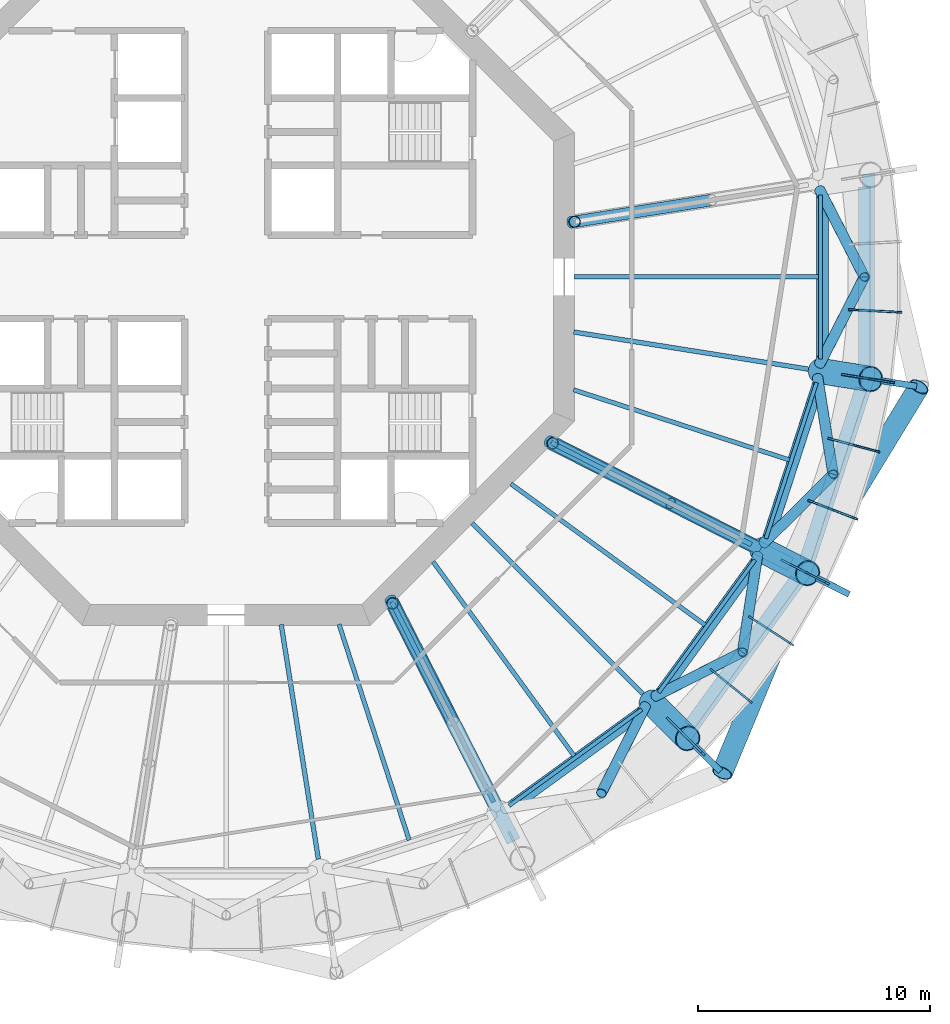
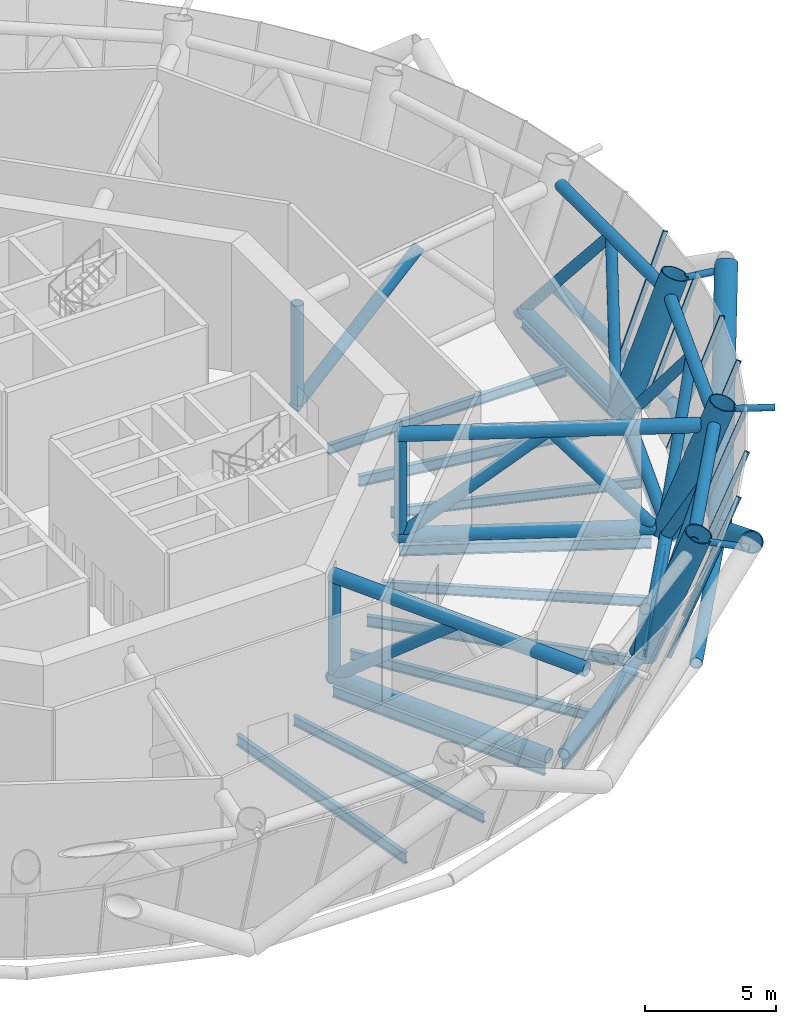
# One storey, part 3 of 15: 44 members, 14 beams, 3 elements without a shape of their own.
"""IFC4 building model written with IfcOpenShell, lengths in metres."""

from ifc_helpers import new_model, si_unit, direction, frame, origin, origin_2d, place, context, subcontext, project, spatial, rectangle, circle, hollow_circle, i_section, extrude, material, layer, layer_set, material_profile, profile_set, type_object, element, aggregate, save


model = new_model("IFC4")

# Units and contexts
model_context = context("Model", 3, precision=1e-05, world=origin(), true_north=direction((0.0, 1.0)))
body_context = subcontext(model_context, "Body", "Model", "MODEL_VIEW")
ifc_project = project(units=[si_unit("LENGTHUNIT", "METRE"), si_unit("AREAUNIT", "SQUARE_METRE"), si_unit("VOLUMEUNIT", "CUBIC_METRE"), si_unit("PLANEANGLEUNIT", "RADIAN"), si_unit("MASSUNIT", "GRAM", prefix="KILO")], contexts=[model_context])

# Site, building, storey
site_placement = place(None, origin())
site = spatial("IfcSite", under=ifc_project, at=site_placement, CompositionType="ELEMENT")
building_placement = place(site_placement, origin())
building = spatial("IfcBuilding", under=site, at=building_placement, Name="Entoto Ring Tower", CompositionType="ELEMENT")
storey_placement = place(building_placement, frame((0.0, 0.0, 268.0)))
storey = spatial("IfcBuildingStorey", under=building, at=storey_placement, Name="L61", CompositionType="ELEMENT", Elevation=268.0)

# Members
ifc_material_1 = material(Name="Steel S355", Category="steel")
ifc_material_profile_1 = material_profile(ifc_material_1, hollow_circle(Radius=0.449951171875, WallThickness=0.044921875, at=origin_2d()), Name="CHS 900 x 45")
ifc_material_2 = material(Name="Concrete C60/75", Category="concrete")
ifc_material_profile_2 = material_profile(ifc_material_2, circle(Radius=0.405029296875, at=origin_2d()), Name="Concrete C60/75 infill")
ifc_profile_set_1 = profile_set([ifc_material_profile_1, ifc_material_profile_2], Name="Steel S355")
member_type_1 = type_object("IfcMemberType", Name="Diagrid diagonal 900 x 45 concrete-filled tube", PredefinedType="BRACE", material=ifc_profile_set_1)
member_1_placement = place(storey_placement, frame((114.9482421875, 67.288330078125, 0.0), z_axis=(-0.323207345717, -0.777375260078, 0.539652403584), x_axis=(0.923371430123, -0.383907804078, 0.0)))
element("IfcMember", 1, at=member_1_placement, inside=storey, type_object=member_type_1, Name="DG2 module 21 19", PredefinedType="BRACE", context=body_context, shape_type="SweptSolid", body=[
    extrude(hollow_circle(Radius=0.449951171875, WallThickness=0.044921875, at=origin_2d()), origin(), (0.0, 0.0, 1.0), 11.1181640625),
])
member_2_placement = place(storey_placement, frame((114.9482421875, 67.288330078125, 0.0), z_axis=(0.438916670262, 0.718410935775, 0.539664603179), x_axis=(-0.853341145652, 0.521352941047, 0.0)))
element("IfcMember", 2, at=member_2_placement, inside=storey, type_object=member_type_1, Name="DG2 module 21 20", PredefinedType="BRACE", context=body_context, shape_type="SweptSolid", body=[
    extrude(hollow_circle(Radius=0.449951171875, WallThickness=0.044921875, at=origin_2d()), origin(), (0.0, 0.0, 1.0), 11.117919921875),
])
ifc_material_3 = material(Name="Steel S355", Category="steel")
ifc_material_profile_3 = material_profile(ifc_material_3, hollow_circle(Radius=0.136474609375, WallThickness=0.012451171875, at=origin_2d()), Name="CHS 273 x 12.5")
ifc_material_4 = material(Name="Concrete C60/75", Category="concrete")
ifc_material_profile_4 = material_profile(ifc_material_4, circle(Radius=0.1240234375, at=origin_2d()), Name="Concrete C60/75 infill")
ifc_profile_set_2 = profile_set([ifc_material_profile_3, ifc_material_profile_4], Name="Steel S355")
member_type_2 = type_object("IfcMemberType", Name="Diagrid node strut 273 x 12.5", PredefinedType="STRUT", material=ifc_profile_set_2)
member_3_placement = place(storey_placement, frame((110.170166015625, 59.829833984375, 5.71337890625), z_axis=(0.707106781187, -0.707106781187, 0.0), x_axis=(0.707106781187, 0.707106781187, 0.0)))
element("IfcMember", 3, at=member_3_placement, inside=storey, type_object=member_type_2, Name="DS2 strut ring 21 17", PredefinedType="STRUT", context=body_context, shape_type="SweptSolid", body=[
    extrude(hollow_circle(Radius=0.136474609375, WallThickness=0.012451171875, at=origin_2d()), origin(), (0.0, 0.0, 1.0), 1.5751953125),
])
for number, where, z_axis, x_axis, name in (
    (4, (115.416015625, 67.050048828125, 5.71337890625), (0.890990991259, -0.454020983541, 0.0), (0.454020983541, 0.890990991259, 0.0), "DS2 strut ring 21 18"),
    (5, (118.173828125, 75.53759765625, 5.71337890625), (0.987693744331, -0.156400343382, 0.0), (0.156400343382, 0.987693744331, 0.0), "DS2 strut ring 21 19"),
):
    element("IfcMember", number, at=place(storey_placement, frame(where, z_axis=z_axis, x_axis=x_axis)), inside=storey, type_object=member_type_2, Name=name, PredefinedType="STRUT", context=body_context, shape_type="SweptSolid", body=[
        extrude(hollow_circle(Radius=0.136474609375, WallThickness=0.012451171875, at=origin_2d()), origin(), (0.0, 0.0, 1.0), 1.574951171875),
    ])
ifc_material_5 = material(Name="Steel S355", Category="steel")
ifc_material_profile_5 = material_profile(ifc_material_5, hollow_circle(Radius=0.25390625, WallThickness=0.030029296875, at=origin_2d()), Name="CHS 508 x 30")
ifc_material_6 = material(Name="Concrete C60/75", Category="concrete")
ifc_material_profile_6 = material_profile(ifc_material_6, circle(Radius=0.22412109375, at=origin_2d()), Name="Concrete C60/75 infill")
ifc_profile_set_3 = profile_set([ifc_material_profile_5, ifc_material_profile_6], Name="Steel S355")
member_type_3 = type_object("IfcMemberType", Name="Diagrid ring beam 508 x 30", PredefinedType="CHORD", material=ifc_profile_set_3)
for number, where, z_axis, x_axis, name in (
    (6, (109.763671875, 60.15234375, 0.0), (0.587790766961, 0.809012987705, 0.0), (-0.809012987705, 0.587790766961, 0.0), "DR2 ring 20 18"),
    (7, (114.9296875, 67.23095703125, 0.0), (0.309002151976, 0.951061338755, 0.0), (-0.951061338755, 0.309002151976, 0.0), "DR2 ring 20 19"),
):
    element("IfcMember", number, at=place(storey_placement, frame(where, z_axis=z_axis, x_axis=x_axis)), inside=storey, type_object=member_type_3, Name=name, PredefinedType="CHORD", context=body_context, shape_type="SweptSolid", body=[
        extrude(hollow_circle(Radius=0.25390625, WallThickness=0.030029296875, at=origin_2d()), origin(), (0.0, 0.0, 1.0), 8.880615234375),
    ])
member_4_placement = place(storey_placement, frame((117.6552734375, 75.5595703125, 0.0), z_axis=(0.0, 1.0, 0.0), x_axis=(-1.0, 0.0, 0.0)))
element("IfcMember", 8, at=member_4_placement, inside=storey, type_object=member_type_3, Name="DR2 ring 20 20", PredefinedType="CHORD", context=body_context, shape_type="SweptSolid", body=[
    extrude(hollow_circle(Radius=0.25390625, WallThickness=0.030029296875, at=origin_2d()), origin(), (0.0, 0.0, 1.0), 8.880859375),
])

# Beams
ifc_material_7 = material(Name="Steel S355", Category="steel")
ifc_material_profile_7 = material_profile(ifc_material_7, i_section(OverallWidth=0.169921875, OverallDepth=0.360107421875, WebThickness=0.008056640625, FlangeThickness=0.0126953125, FilletRadius=0.01806640625, at=origin_2d()), Name="IPE 360")
ifc_profile_set_4 = profile_set([ifc_material_profile_7], Name="Steel S355")
beam_type_1 = type_object("IfcBeamType", Name="Edge beam IPE 360", PredefinedType="SPANDREL", material=ifc_profile_set_4)
for number, where, z_axis, x_axis, name in (
    (9, (102.181640625, 57.23046875, -0.330078125), (0.809008282703, 0.587797242693, 0.0), (-0.587797242693, 0.809008282703, 0.0), "Edge beam L61 17"),
    (10, (108.62158203125, 62.109375, -0.330078125), (0.587797242693, 0.809008282703, 0.0), (-0.809008282703, 0.587797242693, 0.0), "Edge beam L61 18"),
    (11, (113.23876953125, 68.7392578125, -0.330078125), (0.309015666013, 0.951056947905, 0.0), (-0.951056947905, 0.309015666013, 0.0), "Edge beam L61 19"),
):
    element("IfcBeam", number, at=place(storey_placement, frame(where, z_axis=z_axis, x_axis=x_axis)), inside=storey, type_object=beam_type_1, Name=name, PredefinedType="SPANDREL", context=body_context, shape_type="SweptSolid", body=[
        extrude(i_section(OverallWidth=0.169921875, OverallDepth=0.360107421875, WebThickness=0.008056640625, FlangeThickness=0.0126953125, FilletRadius=0.01806640625, at=origin_2d()), origin(), (0.0, 0.0, 1.0), 7.056884765625),
    ])
beam_1_placement = place(storey_placement, frame((115.5810546875, 76.4716796875, -0.330078125), z_axis=(0.0, 1.0, 0.0), x_axis=(-1.0, 0.0, 0.0)))
element("IfcBeam", 12, at=beam_1_placement, inside=storey, type_object=beam_type_1, Name="Edge beam L61 20", PredefinedType="SPANDREL", context=body_context, shape_type="SweptSolid", body=[
    extrude(i_section(OverallWidth=0.169921875, OverallDepth=0.360107421875, WebThickness=0.008056640625, FlangeThickness=0.0126953125, FilletRadius=0.01806640625, at=origin_2d()), origin(), (0.0, 0.0, 1.0), 7.056640625),
])

# Curtain wall, members
ifc_material_8 = material(Name="Anodised aluminium", Category="aluminium")
ifc_layer = layer(ifc_material_8, 0.10009765625)
ifc_layer_set = layer_set([ifc_layer], Name="Anodised aluminium")
curtain_wall_type = type_object("IfcCurtainWallType", Name="Louvre curtain wall system CW7", PredefinedType="NOTDEFINED", material=ifc_layer_set)
curtain_wall_1_placement = place(storey_placement, origin())
curtain_wall_1 = element("IfcCurtainWall", 13, at=curtain_wall_1_placement, inside=storey, type_object=curtain_wall_type, Name="CW7 L61-18", PredefinedType="NOTDEFINED")
ifc_material_9 = material(Name="Anodised aluminium", Category="aluminium")
ifc_material_profile_8 = material_profile(ifc_material_9, rectangle(XDim=0.080078125, YDim=0.199951171875, at=origin_2d()), Name="Mullion 80 x 200 mm anodised aluminium")
ifc_profile_set_5 = profile_set([ifc_material_profile_8], Name="Anodised aluminium")
member_type_4 = type_object("IfcMemberType", Name="Mullion 80 x 200 mm anodised aluminium", PredefinedType="MULLION", material=ifc_profile_set_5)
member_5_placement = place(storey_placement, frame((109.03466796875, 60.96533203125, 0.034423828125), z_axis=(0.243439738428, -0.243439738428, 0.938868567749), x_axis=(0.707106781187, 0.707106781187, 0.0)))
member_5 = element("IfcMember", 14, at=member_5_placement, type_object=member_type_4, Name="MULLION L61-51", PredefinedType="MULLION", context=body_context, shape_type="SweptSolid", body=[
    extrude(rectangle(XDim=0.080078125, YDim=0.199951171875, at=origin_2d()), origin(), (0.0, 0.0, 1.0), 6.15771484375),
])
member_6_placement = place(storey_placement, frame((110.920166015625, 63.059326171875, 0.034423828125), z_axis=(0.267510778801, -0.216641306561, 0.938884725361), x_axis=(0.629347320868, 0.777124153348, 0.0)))
member_6 = element("IfcMember", 15, at=member_6_placement, type_object=member_type_4, Name="MULLION L61-52", PredefinedType="MULLION", context=body_context, shape_type="SweptSolid", body=[
    extrude(rectangle(XDim=0.080078125, YDim=0.199951171875, at=origin_2d()), origin(), (0.0, 0.0, 1.0), 6.157470703125),
])
member_7_placement = place(storey_placement, frame((112.576171875, 65.3388671875, 0.034423828125), z_axis=(0.288719812628, -0.187497389991, 0.938874644744), x_axis=(0.544640161527, 0.838669836379, 0.0)))
member_7 = element("IfcMember", 16, at=member_7_placement, type_object=member_type_4, Name="MULLION L61-53", PredefinedType="MULLION", context=body_context, shape_type="SweptSolid", body=[
    extrude(rectangle(XDim=0.080078125, YDim=0.199951171875, at=origin_2d()), origin(), (0.0, 0.0, 1.0), 6.15771484375),
])
aggregate(curtain_wall_1, [member_5, member_6, member_7])

curtain_wall_2_placement = place(storey_placement, origin())
curtain_wall_2 = element("IfcCurtainWall", 17, at=curtain_wall_2_placement, inside=storey, type_object=curtain_wall_type, Name="CW7 L61-19", PredefinedType="NOTDEFINED")
member_8_placement = place(storey_placement, frame((113.985107421875, 67.779052734375, 0.034423828125), z_axis=(0.306721620039, -0.156294806902, 0.938879002394), x_axis=(0.454018947449, 0.890992028784, 0.0)))
member_8 = element("IfcMember", 18, at=member_8_placement, type_object=member_type_4, Name="MULLION L61-54", PredefinedType="MULLION", context=body_context, shape_type="SweptSolid", body=[
    extrude(rectangle(XDim=0.080078125, YDim=0.199951171875, at=origin_2d()), origin(), (0.0, 0.0, 1.0), 6.15771484375),
])
member_9_placement = place(storey_placement, frame((115.131103515625, 70.35302734375, 0.034423828125), z_axis=(0.321391478901, -0.123346766699, 0.938878635626), x_axis=(0.358307531587, 0.933603616536, 0.0)))
member_9 = element("IfcMember", 19, at=member_9_placement, type_object=member_type_4, Name="MULLION L61-55", PredefinedType="MULLION", context=body_context, shape_type="SweptSolid", body=[
    extrude(rectangle(XDim=0.080078125, YDim=0.199951171875, at=origin_2d()), origin(), (0.0, 0.0, 1.0), 6.15771484375),
])
member_10_placement = place(storey_placement, frame((116.001953125, 73.03271484375, 0.034423828125), z_axis=(0.332496103447, -0.089091192994, 0.938887160698), x_axis=(0.258816688586, 0.965926457713, 0.0)))
member_10 = element("IfcMember", 20, at=member_10_placement, type_object=member_type_4, Name="MULLION L61-56", PredefinedType="MULLION", context=body_context, shape_type="SweptSolid", body=[
    extrude(rectangle(XDim=0.080078125, YDim=0.199951171875, at=origin_2d()), origin(), (0.0, 0.0, 1.0), 6.157470703125),
])
aggregate(curtain_wall_2, [member_8, member_9, member_10])

curtain_wall_3_placement = place(storey_placement, origin())
curtain_wall_3 = element("IfcCurtainWall", 21, at=curtain_wall_3_placement, inside=storey, type_object=curtain_wall_type, Name="CW7 L61-20", PredefinedType="NOTDEFINED")
member_11_placement = place(storey_placement, frame((116.587646484375, 75.788818359375, 0.034423828125), z_axis=(0.340024610762, -0.05384251649, 0.938873925239), x_axis=(0.156400202324, 0.987693766667, 0.0)))
member_11 = element("IfcMember", 22, at=member_11_placement, type_object=member_type_4, Name="MULLION L61-57", PredefinedType="MULLION", context=body_context, shape_type="SweptSolid", body=[
    extrude(rectangle(XDim=0.080078125, YDim=0.199951171875, at=origin_2d()), origin(), (0.0, 0.0, 1.0), 6.15771484375),
])
member_12_placement = place(storey_placement, frame((116.88232421875, 78.591064453125, 0.034423828125), z_axis=(0.343756132372, -0.018000609469, 0.938886414597), x_axis=(0.052292829812, 0.998631793981, 0.0)))
member_12 = element("IfcMember", 23, at=member_12_placement, type_object=member_type_4, Name="MULLION L61-58", PredefinedType="MULLION", context=body_context, shape_type="SweptSolid", body=[
    extrude(rectangle(XDim=0.080078125, YDim=0.199951171875, at=origin_2d()), origin(), (0.0, 0.0, 1.0), 6.157470703125),
])
aggregate(curtain_wall_3, [member_11, member_12])

# Members
ifc_material_10 = material(Name="Steel S355", Category="steel")
ifc_material_profile_9 = material_profile(ifc_material_10, hollow_circle(Radius=0.304931640625, WallThickness=0.030029296875, at=origin_2d()), Name="CHS 610 x 30")
ifc_material_11 = material(Name="Concrete C60/75", Category="concrete")
ifc_material_profile_10 = material_profile(ifc_material_11, circle(Radius=0.27490234375, at=origin_2d()), Name="Concrete C60/75 infill")
ifc_profile_set_6 = profile_set([ifc_material_profile_9, ifc_material_profile_10], Name="Steel S355")
member_type_5 = type_object("IfcMemberType", Name="Outrigger chord 610 x 30", PredefinedType="CHORD", material=ifc_profile_set_6)
member_13_placement = place(storey_placement, frame((97.106201171875, 66.05322265625, 0.304931640625), z_axis=(0.453993071975, -0.891005213564, 0.0), x_axis=(0.891005213564, 0.453993071975, 0.0)))
element("IfcMember", 24, at=member_13_placement, inside=storey, type_object=member_type_5, Name="OR1B L61 bottom 09", PredefinedType="CHORD", context=body_context, shape_type="SweptSolid", body=[
    extrude(hollow_circle(Radius=0.304931640625, WallThickness=0.030029296875, at=origin_2d()), origin(), (0.0, 0.0, 1.0), 9.8916015625),
])
member_14_placement = place(storey_placement, frame((97.106201171875, 66.05322265625, 4.9951171875), z_axis=(0.453996334628, -0.89100355114, 0.0), x_axis=(0.89100355114, 0.453996334628, 0.0)))
element("IfcMember", 25, at=member_14_placement, inside=storey, type_object=member_type_5, Name="OR1B L61 top 09", PredefinedType="CHORD", context=body_context, shape_type="SweptSolid", body=[
    extrude(hollow_circle(Radius=0.304931640625, WallThickness=0.030029296875, at=origin_2d()), origin(), (0.0, 0.0, 1.0), 11.611328125),
])
member_15_placement = place(storey_placement, frame((103.94677734375, 72.893798828125, 0.304931640625), z_axis=(0.891005213564, -0.453993071975, 0.0), x_axis=(0.453993071975, 0.891005213564, 0.0)))
element("IfcMember", 26, at=member_15_placement, inside=storey, type_object=member_type_5, Name="OR1B L61 bottom 10", PredefinedType="CHORD", context=body_context, shape_type="SweptSolid", body=[
    extrude(hollow_circle(Radius=0.304931640625, WallThickness=0.030029296875, at=origin_2d()), origin(), (0.0, 0.0, 1.0), 9.8916015625),
])
member_16_placement = place(storey_placement, frame((103.94677734375, 72.893798828125, 4.9951171875), z_axis=(0.89100355114, -0.453996334628, 0.0), x_axis=(0.453996334628, 0.89100355114, 0.0)))
element("IfcMember", 27, at=member_16_placement, inside=storey, type_object=member_type_5, Name="OR1B L61 top 10", PredefinedType="CHORD", context=body_context, shape_type="SweptSolid", body=[
    extrude(hollow_circle(Radius=0.304931640625, WallThickness=0.030029296875, at=origin_2d()), origin(), (0.0, 0.0, 1.0), 11.611328125),
])
ifc_material_12 = material(Name="Steel S355", Category="steel")
ifc_material_profile_11 = material_profile(ifc_material_12, hollow_circle(Radius=0.25390625, WallThickness=0.030029296875, at=origin_2d()), Name="CHS 508 x 30")
ifc_material_13 = material(Name="Concrete C60/75", Category="concrete")
ifc_material_profile_12 = material_profile(ifc_material_13, circle(Radius=0.22412109375, at=origin_2d()), Name="Concrete C60/75 infill")
ifc_profile_set_7 = profile_set([ifc_material_profile_11, ifc_material_profile_12], Name="Steel S355")
member_type_6 = type_object("IfcMemberType", Name="Outrigger diagonal 508 x 30", PredefinedType="BRACE", material=ifc_profile_set_7)
member_17_placement = place(storey_placement, frame((104.824951171875, 82.34814453125, 0.166259765625), z_axis=(0.778011293546, 0.123216008538, 0.616048896075), x_axis=(-0.156423474185, 0.987690081313, 0.0)))
element("IfcMember", 28, at=member_17_placement, inside=storey, type_object=member_type_6, Name="OR2B L61 01 1", PredefinedType="BRACE", context=body_context, shape_type="SweptSolid", body=[
    extrude(hollow_circle(Radius=0.25390625, WallThickness=0.030029296875, at=origin_2d()), origin(), (0.0, 0.0, 1.0), 7.83837890625),
])
for number, where, z_axis, x_axis, name in (
    (29, (97.071044921875, 66.1220703125, 0.1435546875), (0.350700573852, -0.688266653823, 0.635057572771), (0.891000660337, 0.454002008011, 0.0), "OR2B L61 09 1"),
    (30, (103.8779296875, 72.928955078125, 0.1435546875), (0.688266653823, -0.350700573852, 0.635057572771), (0.454002008011, 0.891000660337, 0.0), "OR2B L61 10 1"),
):
    element("IfcMember", number, at=place(storey_placement, frame(where, z_axis=z_axis, x_axis=x_axis)), inside=storey, type_object=member_type_6, Name=name, PredefinedType="BRACE", context=body_context, shape_type="SweptSolid", body=[
        extrude(hollow_circle(Radius=0.25390625, WallThickness=0.030029296875, at=origin_2d()), origin(), (0.0, 0.0, 1.0), 7.6396484375),
    ])
member_18_placement = place(storey_placement, frame((109.135986328125, 70.249755859375, 4.9951171875), z_axis=(0.576929349565, -0.293961232507, -0.762062542967), x_axis=(0.453991782643, 0.891005870515, 0.0)))
element("IfcMember", 31, at=member_18_placement, inside=storey, type_object=member_type_6, Name="OR2B L61 10 2", PredefinedType="BRACE", context=body_context, shape_type="SweptSolid", body=[
    extrude(hollow_circle(Radius=0.25390625, WallThickness=0.030029296875, at=origin_2d()), origin(), (0.0, 0.0, 1.0), 6.418212890625),
])
ifc_material_14 = material(Name="Steel S355", Category="steel")
ifc_material_profile_13 = material_profile(ifc_material_14, hollow_circle(Radius=0.25390625, WallThickness=0.030029296875, at=origin_2d()), Name="CHS 508 x 30")
ifc_material_15 = material(Name="Concrete C60/75", Category="concrete")
ifc_material_profile_14 = material_profile(ifc_material_15, circle(Radius=0.22412109375, at=origin_2d()), Name="Concrete C60/75 infill")
ifc_profile_set_8 = profile_set([ifc_material_profile_13, ifc_material_profile_14], Name="Steel S355")
member_type_7 = type_object("IfcMemberType", Name="Outrigger post 508 x 30", PredefinedType="POST", material=ifc_profile_set_8)
for number, where, z_axis, x_axis, name in (
    (32, (105.0, 82.375732421875, 0.304931640625), (0.0, 0.0, 1.0), (1.0, 0.0, 0.0), "OR3 L61 01"),
    (33, (97.160400390625, 65.947021484375, 0.304931640625), (0.0, 0.0, 1.0), (1.0, 0.0, 0.0), "OR3 L61 09"),
    (34, (104.052978515625, 72.839599609375, 0.304931640625), (0.0, 0.0, 1.0), (1.0, 0.0, 0.0), "OR3 L61 10"),
):
    element("IfcMember", number, at=place(storey_placement, frame(where, z_axis=z_axis, x_axis=x_axis)), inside=storey, type_object=member_type_7, Name=name, PredefinedType="POST", context=body_context, shape_type="SweptSolid", body=[
        extrude(hollow_circle(Radius=0.25390625, WallThickness=0.030029296875, at=origin_2d()), origin(), (0.0, 0.0, 1.0), 4.690185546875),
    ])

# Beams
ifc_material_16 = material(Name="Steel S355", Category="steel")
ifc_material_profile_15 = material_profile(ifc_material_16, i_section(OverallWidth=0.199951171875, OverallDepth=0.5, WebThickness=0.01025390625, FlangeThickness=0.01611328125, FilletRadius=0.02099609375, at=origin_2d()), Name="IPE 500")
ifc_profile_set_9 = profile_set([ifc_material_profile_15], Name="Steel S355")
beam_type_2 = type_object("IfcBeamType", Name="Primary floor beam IPE 500", PredefinedType="BEAM", material=ifc_profile_set_9)
beam_2_placement = place(storey_placement, frame((92.3701171875, 65.035400390625, -0.39990234375), z_axis=(0.156439360602, -0.987687565202, 0.0), x_axis=(0.987687565202, 0.156439360602, 0.0)))
element("IfcBeam", 35, at=beam_2_placement, inside=storey, type_object=beam_type_2, Name="Primary L61 R16", PredefinedType="BEAM", context=body_context, shape_type="SweptSolid", body=[
    extrude(i_section(OverallWidth=0.199951171875, OverallDepth=0.5, WebThickness=0.01025390625, FlangeThickness=0.01611328125, FilletRadius=0.02099609375, at=origin_2d()), origin(), (0.0, 0.0, 1.0), 10.228271484375),
])
beam_3_placement = place(storey_placement, frame((97.136474609375, 65.993896484375, -0.39990234375), z_axis=(0.453994308092, -0.891004583726, 0.0), x_axis=(0.891004583726, 0.453994308092, 0.0)))
element("IfcBeam", 36, at=beam_3_placement, inside=storey, type_object=beam_type_2, Name="Primary L61 R17", PredefinedType="BEAM", context=body_context, shape_type="SweptSolid", body=[
    extrude(i_section(OverallWidth=0.199951171875, OverallDepth=0.5, WebThickness=0.01025390625, FlangeThickness=0.01611328125, FilletRadius=0.02099609375, at=origin_2d()), origin(), (0.0, 0.0, 1.0), 9.659912109375),
])
beam_4_placement = place(storey_placement, frame((100.592529296875, 69.407470703125, -0.39990234375), z_axis=(0.707106781187, -0.707106781187, 0.0), x_axis=(0.707106781187, 0.707106781187, 0.0)))
element("IfcBeam", 37, at=beam_4_placement, inside=storey, type_object=beam_type_2, Name="Primary L61 R18", PredefinedType="BEAM", context=body_context, shape_type="SweptSolid", body=[
    extrude(i_section(OverallWidth=0.199951171875, OverallDepth=0.5, WebThickness=0.01025390625, FlangeThickness=0.01611328125, FilletRadius=0.02099609375, at=origin_2d()), origin(), (0.0, 0.0, 1.0), 10.399169921875),
])
beam_5_placement = place(storey_placement, frame((104.006103515625, 72.863525390625, -0.39990234375), z_axis=(0.891004583726, -0.453994308092, 0.0), x_axis=(0.453994308092, 0.891004583726, 0.0)))
element("IfcBeam", 38, at=beam_5_placement, inside=storey, type_object=beam_type_2, Name="Primary L61 R19", PredefinedType="BEAM", context=body_context, shape_type="SweptSolid", body=[
    extrude(i_section(OverallWidth=0.199951171875, OverallDepth=0.5, WebThickness=0.01025390625, FlangeThickness=0.01611328125, FilletRadius=0.02099609375, at=origin_2d()), origin(), (0.0, 0.0, 1.0), 9.659912109375),
])
beam_6_placement = place(storey_placement, frame((104.964599609375, 77.6298828125, -0.39990234375), z_axis=(0.987687565202, -0.156439360602, 0.0), x_axis=(0.156439360602, 0.987687565202, 0.0)))
element("IfcBeam", 39, at=beam_6_placement, inside=storey, type_object=beam_type_2, Name="Primary L61 R20", PredefinedType="BEAM", context=body_context, shape_type="SweptSolid", body=[
    extrude(i_section(OverallWidth=0.199951171875, OverallDepth=0.5, WebThickness=0.01025390625, FlangeThickness=0.01611328125, FilletRadius=0.02099609375, at=origin_2d()), origin(), (0.0, 0.0, 1.0), 10.228271484375),
])

# Members
ifc_material_17 = material(Name="Steel S355", Category="steel")
ifc_material_profile_16 = material_profile(ifc_material_17, hollow_circle(Radius=0.550048828125, WallThickness=0.044921875, at=origin_2d()), Name="CHS 1100 x 45")
ifc_material_18 = material(Name="Concrete C60/75", Category="concrete")
ifc_material_profile_17 = material_profile(ifc_material_18, circle(Radius=0.5048828125, at=origin_2d()), Name="Concrete C60/75 infill")
ifc_profile_set_10 = profile_set([ifc_material_profile_16, ifc_material_profile_17], Name="Steel S355")
member_type_8 = type_object("IfcMemberType", Name="Ring column jog 1100 x 45 concrete-filled tube", PredefinedType="STRUT", material=ifc_profile_set_10)
for number, where, z_axis, x_axis, name in (
    (40, (108.31396484375, 61.68603515625, 0.0), (0.243428816819, -0.243428816819, 0.938874231346), (0.707106781187, 0.707106781187, 0.0), "RJ4B R18"),
    (41, (113.0771484375, 68.24169921875, 0.0), (0.306731822092, -0.156288439927, 0.938876729322), (0.453992276384, 0.891005618941, 0.0), "RJ4B R19"),
    (42, (115.5810546875, 75.9482421875, 0.0), (0.340041863298, -0.053827545825, 0.938868535267), (0.156350040137, 0.987701708488, 0.0), "RJ4B R20"),
):
    element("IfcMember", number, at=place(storey_placement, frame(where, z_axis=z_axis, x_axis=x_axis)), inside=storey, type_object=member_type_8, Name=name, PredefinedType="STRUT", context=body_context, shape_type="SweptSolid", body=[
        extrude(hollow_circle(Radius=0.550048828125, WallThickness=0.044921875, at=origin_2d()), origin(), (0.0, 0.0, 1.0), 6.390625),
    ])
ifc_material_19 = material(Name="Steel S355", Category="steel")
ifc_material_profile_18 = material_profile(ifc_material_19, hollow_circle(Radius=0.25390625, WallThickness=0.030029296875, at=origin_2d()), Name="CHS 508 x 30")
ifc_material_20 = material(Name="Concrete C60/75", Category="concrete")
ifc_material_profile_19 = material_profile(ifc_material_20, circle(Radius=0.22412109375, at=origin_2d()), Name="Concrete C60/75 infill")
ifc_profile_set_11 = profile_set([ifc_material_profile_18, ifc_material_profile_19], Name="Steel S355")
member_type_9 = type_object("IfcMemberType", Name="Ring truss chord 508 x 30", PredefinedType="CHORD", material=ifc_profile_set_11)
for number, where, z_axis, x_axis, name in (
    (43, (102.18212890625, 57.116943359375, 0.25390625), (0.809003255445, 0.587804161843, 0.0), (-0.587804161843, 0.809003255445, 0.0), "BT1 L61 bottom 17"),
    (44, (108.656982421875, 62.00146484375, 0.25390625), (0.587804161843, 0.809003255445, 0.0), (-0.809003255445, 0.587804161843, 0.0), "BT1 L61 bottom 18"),
):
    element("IfcMember", number, at=place(storey_placement, frame(where, z_axis=z_axis, x_axis=x_axis)), inside=storey, type_object=member_type_9, Name=name, PredefinedType="CHORD", context=body_context, shape_type="SweptSolid", body=[
        extrude(hollow_circle(Radius=0.25390625, WallThickness=0.030029296875, at=origin_2d()), origin(), (0.0, 0.0, 1.0), 7.189697265625),
    ])
member_19_placement = place(storey_placement, frame((109.94873046875, 60.709716796875, 5.236083984375), z_axis=(0.587780707542, 0.80902029631, 0.0), x_axis=(-0.80902029631, 0.587780707542, 0.0)))
element("IfcMember", 45, at=member_19_placement, inside=storey, type_object=member_type_9, Name="BT1 L61 top 18", PredefinedType="CHORD", context=body_context, shape_type="SweptSolid", body=[
    extrude(hollow_circle(Radius=0.25390625, WallThickness=0.030029296875, at=origin_2d()), origin(), (0.0, 0.0, 1.0), 7.760986328125),
])
member_20_placement = place(storey_placement, frame((113.3056640625, 68.647705078125, 0.25390625), z_axis=(0.309016197858, 0.951056775099, 0.0), x_axis=(-0.951056775099, 0.309016197858, 0.0)))
element("IfcMember", 46, at=member_20_placement, inside=storey, type_object=member_type_9, Name="BT1 L61 bottom 19", PredefinedType="CHORD", context=body_context, shape_type="SweptSolid", body=[
    extrude(hollow_circle(Radius=0.25390625, WallThickness=0.030029296875, at=origin_2d()), origin(), (0.0, 0.0, 1.0), 7.189453125),
])
member_21_placement = place(storey_placement, frame((114.933349609375, 67.818359375, 5.236083984375), z_axis=(0.309027746705, 0.951053022584, 0.0), x_axis=(-0.951053022584, 0.309027746705, 0.0)))
element("IfcMember", 47, at=member_21_placement, inside=storey, type_object=member_type_9, Name="BT1 L61 top 19", PredefinedType="CHORD", context=body_context, shape_type="SweptSolid", body=[
    extrude(hollow_circle(Radius=0.25390625, WallThickness=0.030029296875, at=origin_2d()), origin(), (0.0, 0.0, 1.0), 7.76123046875),
])
member_22_placement = place(storey_placement, frame((115.673095703125, 76.4052734375, 0.25390625), z_axis=(0.0, 1.0, 0.0), x_axis=(-1.0, 0.0, 0.0)))
element("IfcMember", 48, at=member_22_placement, inside=storey, type_object=member_type_9, Name="BT1 L61 bottom 20", PredefinedType="CHORD", context=body_context, shape_type="SweptSolid", body=[
    extrude(hollow_circle(Radius=0.25390625, WallThickness=0.030029296875, at=origin_2d()), origin(), (0.0, 0.0, 1.0), 7.189453125),
])
member_23_placement = place(storey_placement, frame((117.477294921875, 76.119384765625, 5.236083984375), z_axis=(0.0, 1.0, 0.0), x_axis=(-1.0, 0.0, 0.0)))
element("IfcMember", 49, at=member_23_placement, inside=storey, type_object=member_type_9, Name="BT1 L61 top 20", PredefinedType="CHORD", context=body_context, shape_type="SweptSolid", body=[
    extrude(hollow_circle(Radius=0.25390625, WallThickness=0.030029296875, at=origin_2d()), origin(), (0.0, 0.0, 1.0), 7.76123046875),
])
ifc_material_21 = material(Name="Steel S355", Category="steel")
ifc_material_profile_20 = material_profile(ifc_material_21, hollow_circle(Radius=0.228515625, WallThickness=0.02001953125, at=origin_2d()), Name="CHS 457 x 20")
ifc_material_22 = material(Name="Concrete C60/75", Category="concrete")
ifc_material_profile_21 = material_profile(ifc_material_22, circle(Radius=0.20849609375, at=origin_2d()), Name="Concrete C60/75 infill")
ifc_profile_set_12 = profile_set([ifc_material_profile_20, ifc_material_profile_21], Name="Steel S355")
member_type_10 = type_object("IfcMemberType", Name="Ring truss diagonal 457 x 20", PredefinedType="BRACE", material=ifc_profile_set_12)
for number, where, z_axis, x_axis, name in (
    (50, (106.15087890625, 57.770263671875, 5.236083984375), (0.280550213259, 0.55453658299, -0.7834416098), (-0.892304837136, 0.451433359006, 0.0), "BT2 L61 17 b"),
    (51, (108.475830078125, 61.949951171875, -0.0673828125), (0.55453658299, 0.280550213259, 0.7834416098), (-0.451433359006, 0.892304837136, 0.0), "BT2 L61 18 a"),
    (52, (112.229736328125, 63.84912109375, 5.236083984375), (0.095462688762, 0.614106031068, -0.783428782763), (-0.988132328169, 0.153605019536, 0.0), "BT2 L61 18 b"),
    (53, (113.149169921875, 68.542724609375, -0.0673828125), (0.440710426835, 0.438185899021, 0.78343310983), (-0.705072790299, 0.709134938062, 0.0), "BT2 L61 19 a"),
    (54, (116.132568359375, 71.509033203125, 5.236083984375), (-0.098962341101, 0.61353766283, -0.783439845383), (-0.987239943567, -0.159239736959, 0.0), "BT2 L61 19 b"),
    (55, (115.556640625, 76.257080078125, -0.0673828125), (0.283724856308, 0.55291544071, 0.783444140534), (-0.889700824389, 0.456544020968, 0.0), "BT2 L61 20 a"),
    (56, (117.477294921875, 80.0, 5.236083984375), (-0.283724856308, 0.55291544071, -0.783444140534), (-0.889700824389, -0.456544020968, 0.0), "BT2 L61 20 b"),
):
    element("IfcMember", number, at=place(storey_placement, frame(where, z_axis=z_axis, x_axis=x_axis)), inside=storey, type_object=member_type_10, Name=name, PredefinedType="BRACE", context=body_context, shape_type="SweptSolid", body=[
        extrude(hollow_circle(Radius=0.228515625, WallThickness=0.02001953125, at=origin_2d()), origin(), (0.0, 0.0, 1.0), 6.76953125),
    ])

# Beams
ifc_material_23 = material(Name="Steel S355", Category="steel")
ifc_material_profile_22 = material_profile(ifc_material_23, i_section(OverallWidth=0.18994140625, OverallDepth=0.449951171875, WebThickness=0.009521484375, FlangeThickness=0.0146484375, FilletRadius=0.02099609375, at=origin_2d()), Name="IPE 450")
ifc_profile_set_13 = profile_set([ifc_material_profile_22], Name="Steel S355")
beam_type_3 = type_object("IfcBeamType", Name="Secondary floor beam IPE 450", PredefinedType="JOIST", material=ifc_profile_set_13)
beam_7_placement = place(storey_placement, frame((94.858154296875, 65.04833984375, -0.375), z_axis=(0.309003053144, -0.951061045963, 0.0), x_axis=(0.951061045963, 0.309003053144, 0.0)))
element("IfcBeam", 57, at=beam_7_placement, inside=storey, type_object=beam_type_3, Name="Secondary beam L61 16", PredefinedType="JOIST", context=body_context, shape_type="SweptSolid", body=[
    extrude(i_section(OverallWidth=0.18994140625, OverallDepth=0.449951171875, WebThickness=0.009521484375, FlangeThickness=0.0146484375, FilletRadius=0.02099609375, at=origin_2d()), origin(), (0.0, 0.0, 1.0), 9.77490234375),
])
for number, where, z_axis, x_axis, name in (
    (58, (98.906005859375, 67.741943359375, -0.375), (0.58779413796, -0.809010538485, 0.0), (0.809010538485, 0.58779413796, 0.0), "Secondary beam L61 17"),
    (59, (102.258056640625, 71.093994140625, -0.375), (0.809010538485, -0.58779413796, 0.0), (0.58779413796, 0.809010538485, 0.0), "Secondary beam L61 18"),
):
    element("IfcBeam", number, at=place(storey_placement, frame(where, z_axis=z_axis, x_axis=x_axis)), inside=storey, type_object=beam_type_3, Name=name, PredefinedType="JOIST", context=body_context, shape_type="SweptSolid", body=[
        extrude(i_section(OverallWidth=0.18994140625, OverallDepth=0.449951171875, WebThickness=0.009521484375, FlangeThickness=0.0146484375, FilletRadius=0.02099609375, at=origin_2d()), origin(), (0.0, 0.0, 1.0), 10.34423828125),
    ])
beam_8_placement = place(storey_placement, frame((104.95166015625, 75.141845703125, -0.375), z_axis=(0.951061045963, -0.309003053144, 0.0), x_axis=(0.309003053144, 0.951061045963, 0.0)))
element("IfcBeam", 60, at=beam_8_placement, inside=storey, type_object=beam_type_3, Name="Secondary beam L61 19", PredefinedType="JOIST", context=body_context, shape_type="SweptSolid", body=[
    extrude(i_section(OverallWidth=0.18994140625, OverallDepth=0.449951171875, WebThickness=0.009521484375, FlangeThickness=0.0146484375, FilletRadius=0.02099609375, at=origin_2d()), origin(), (0.0, 0.0, 1.0), 9.77490234375),
])
beam_9_placement = place(storey_placement, frame((104.97998046875, 80.0, -0.375), z_axis=(1.0, 0.0, 0.0), x_axis=(0.0, 1.0, 0.0)))
element("IfcBeam", 61, at=beam_9_placement, inside=storey, type_object=beam_type_3, Name="Secondary beam L61 20", PredefinedType="JOIST", context=body_context, shape_type="SweptSolid", body=[
    extrude(i_section(OverallWidth=0.18994140625, OverallDepth=0.449951171875, WebThickness=0.009521484375, FlangeThickness=0.0146484375, FilletRadius=0.02099609375, at=origin_2d()), origin(), (0.0, 0.0, 1.0), 10.51611328125),
])

save(model, "model.ifc")
